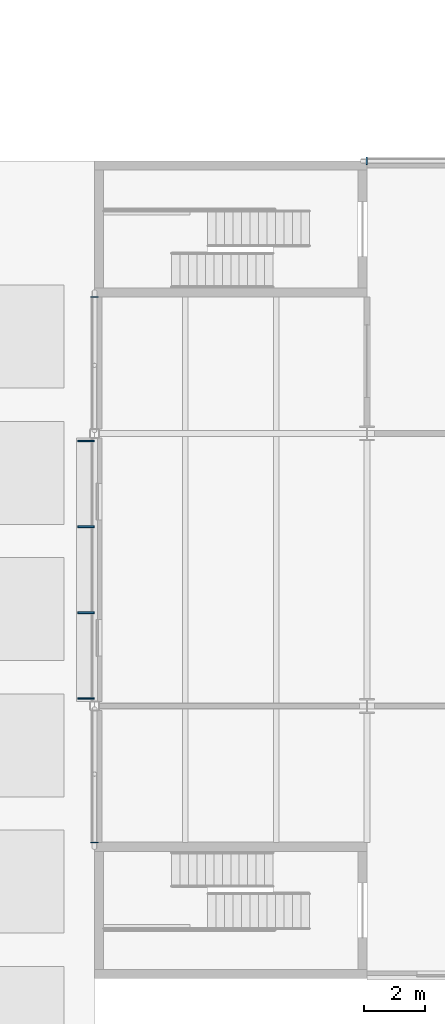
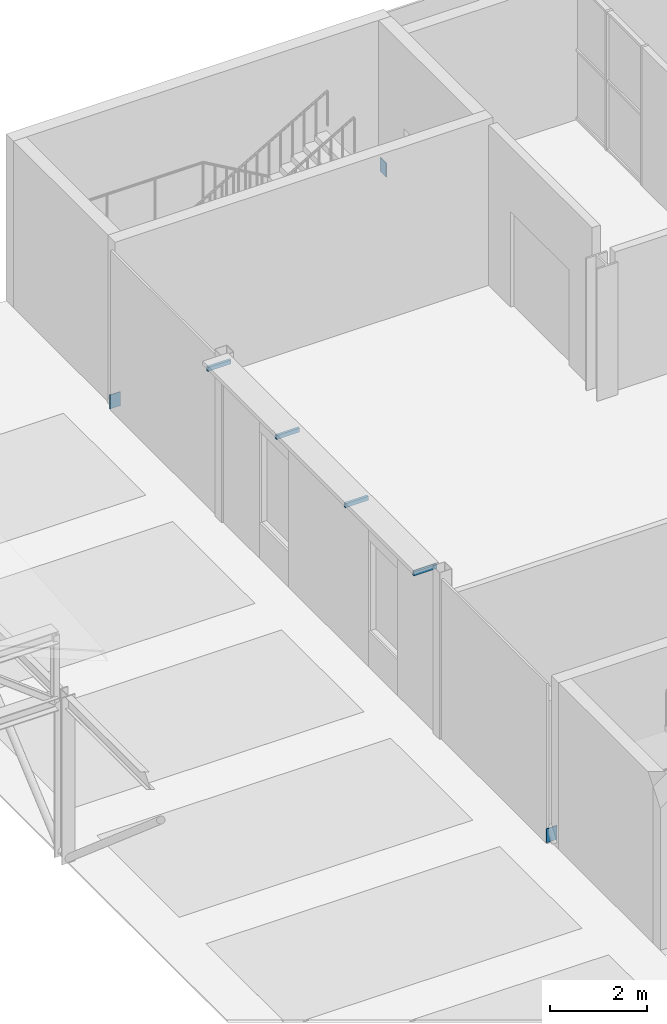
# One storey, part 47 of 61: 7 discrete accessories.
"""IFC4 building model written with IfcOpenShell, lengths in metres."""

from ifc_helpers import new_model, si_unit, direction, frame, origin, origin_2d, place, context, subcontext, project, spatial, rectangle, extrude, element, save


model = new_model("IFC4")

# Units and contexts
model_context = context("Model", 3, precision=1e-05, world=origin(), true_north=direction((0.0, 1.0)))
body_context = subcontext(model_context, "Body", "Model", "MODEL_VIEW")
ifc_project = project(units=[si_unit("LENGTHUNIT", "METRE"), si_unit("AREAUNIT", "SQUARE_METRE"), si_unit("VOLUMEUNIT", "CUBIC_METRE"), si_unit("PLANEANGLEUNIT", "RADIAN"), si_unit("MASSUNIT", "GRAM", prefix="KILO")], contexts=[model_context])

# Site, building, storey
site_placement = place(None, origin())
site = spatial("IfcSite", under=ifc_project, at=site_placement, CompositionType="ELEMENT")
building_placement = place(site_placement, origin())
building = spatial("IfcBuilding", under=site, at=building_placement, Name="Halyard Row Museum", CompositionType="ELEMENT")
storey_placement = place(building_placement, frame((0.0, 0.0, 9.199951171875)))
storey = spatial("IfcBuildingStorey", under=building, at=storey_placement, Name="L02", CompositionType="ELEMENT", Elevation=9.199951171875)

# Discrete accessories
for number, where, z_axis, x_axis, name in (
    (1, (27.0, 22.5, 0.215087890625), (0.0, -1.0, 0.0), (1.0, 0.0, 0.0), "Brace L02 X27 22.5-27 A cast-in plate"),
    (2, (27.0, 40.5, 0.215087890625), (0.0, 1.0, 0.0), (-1.0, 0.0, 0.0), "Brace L02 X27 36-40.5 B cast-in plate"),
    (3, (36.0, 45.0, 0.215087890625), (-1.0, 0.0, 0.0), (0.0, -1.0, 0.0), "Brace L02 Y45 36-45 A cast-in plate"),
):
    element("IfcDiscreteAccessory", number, at=place(storey_placement, frame(where, z_axis=z_axis, x_axis=x_axis)), inside=storey, Name=name, PredefinedType="ANCHORPLATE", context=body_context, shape_type="SweptSolid", body=[
        extrude(rectangle(XDim=0.25, YDim=0.35009765625, at=origin_2d()), origin(), (0.0, 0.0, 1.0), 0.02001953125),
    ])
for number, where, z_axis, x_axis, name in (
    (4, (26.72509765625, 35.75, 4.034912109375), (0.0, 0.0, 1.0), (1.0, 0.0, 0.0), "Louvre bracket"),
    (5, (26.72509765625, 32.916748046875, 4.034912109375), (0.0, 0.0, 1.0), (1.0, 0.0, 0.0), "Louvre bracket"),
    (6, (26.72509765625, 30.083251953125, 4.034912109375), (0.0, 0.0, 1.0), (1.0, 0.0, 0.0), "Louvre bracket"),
    (7, (26.72509765625, 27.25, 4.034912109375), (0.0, 0.0, 1.0), (1.0, 0.0, 0.0), "Louvre bracket"),
):
    element("IfcDiscreteAccessory", number, at=place(storey_placement, frame(where, z_axis=z_axis, x_axis=x_axis)), inside=storey, Name=name, PredefinedType="BRACKET", context=body_context, shape_type="SweptSolid", body=[
        extrude(rectangle(XDim=0.550048828125, YDim=0.06005859375, at=origin_2d()), origin(), (0.0, 0.0, 1.0), 0.10009765625),
    ])

save(model, "model.ifc")
